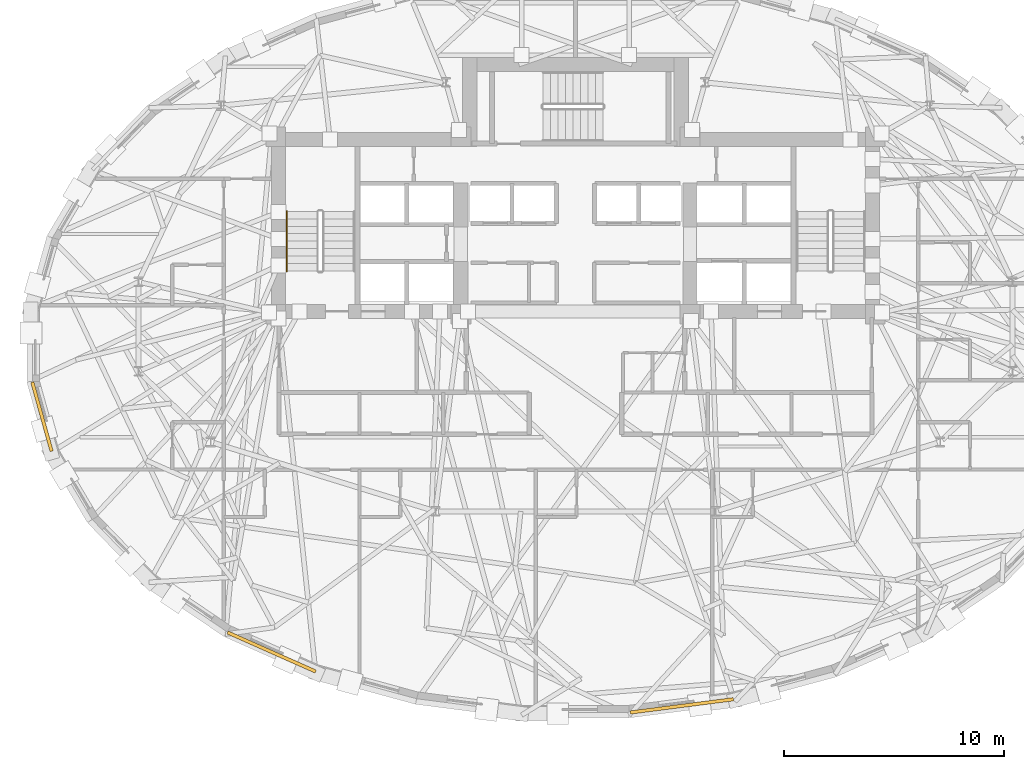
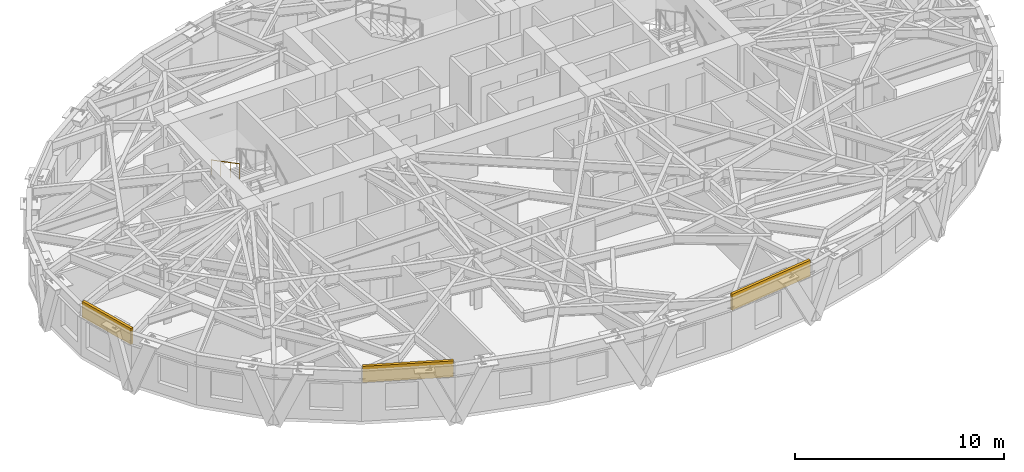
# One storey, part 12 of 15: 3 coverings, 1 railing.
"""IFC4 building model written with IfcOpenShell, lengths in metres."""

from ifc_helpers import new_model, si_unit, direction, frame, origin, origin_2d, place, context, subcontext, project, spatial, rectangle, circle, extrude, material, layer, layer_set, type_object, element, save


model = new_model("IFC4")

# Units and contexts
model_context = context("Model", 3, precision=1e-05, world=origin(), true_north=direction((0.0, 1.0)))
body_context = subcontext(model_context, "Body", "Model", "MODEL_VIEW")
ifc_project = project(units=[si_unit("LENGTHUNIT", "METRE"), si_unit("AREAUNIT", "SQUARE_METRE"), si_unit("VOLUMEUNIT", "CUBIC_METRE"), si_unit("PLANEANGLEUNIT", "RADIAN"), si_unit("MASSUNIT", "GRAM", prefix="KILO")], contexts=[model_context])

# Site, building, storey
site_placement = place(None, origin())
site = spatial("IfcSite", under=ifc_project, at=site_placement, CompositionType="ELEMENT")
building_placement = place(site_placement, origin())
building = spatial("IfcBuilding", under=site, at=building_placement, Name="Keldmark Tower", CompositionType="ELEMENT")
storey_placement = place(building_placement, frame((0.0, 0.0, 166.199951171875)))
storey = spatial("IfcBuildingStorey", under=building, at=storey_placement, Name="L45", CompositionType="ELEMENT", Elevation=166.199951171875)

# Coverings
ifc_material_1 = material(Name="Honed Kasota Buff Dolomitic Limestone", Category="masonry")
ifc_layer = layer(ifc_material_1, 0.074951171875)
ifc_layer_set = layer_set([ifc_layer], Name="Honed Kasota Buff Dolomitic Limestone")
covering_type = type_object("IfcCoveringType", Name="Kasota Buff Limestone Spandrel Cladding Band", PredefinedType="CLADDING", material=ifc_layer_set)
covering_1_placement = place(storey_placement, frame((-24.205322265625, -3.25, 2.239013671875), z_axis=(0.0, 0.0, 1.0), x_axis=(0.26920558486, -0.963082734286, 0.0)))
element("IfcCovering", 1, at=covering_1_placement, inside=storey, type_object=covering_type, Name="L45 Kasota Limestone Spandrel Band 17", PredefinedType="CLADDING", context=body_context, shape_type="SweptSolid", body=[
    extrude(rectangle(XDim=3.2568359375, YDim=0.14990234375, at=origin_2d()), origin(), (0.0, 0.0, 1.0), 0.94091796875),
])
covering_2_placement = place(storey_placement, frame((-13.78466796875, -13.9267578125, 2.239013671875), z_axis=(0.0, 0.0, 1.0), x_axis=(0.913921308103, -0.405891417247, 0.0)))
element("IfcCovering", 2, at=covering_2_placement, inside=storey, type_object=covering_type, Name="L45 Kasota Limestone Spandrel Band 21", PredefinedType="CLADDING", context=body_context, shape_type="SweptSolid", body=[
    extrude(rectangle(XDim=4.367431640625, YDim=0.14990234375, at=origin_2d()), origin(), (0.0, 0.0, 1.0), 0.94091796875),
])
covering_3_placement = place(storey_placement, frame((4.823974609375, -16.370849609375, 2.239013671875), z_axis=(0.0, 0.0, 1.0), x_axis=(0.991850028246, 0.12741083733, 0.0)))
element("IfcCovering", 3, at=covering_3_placement, inside=storey, type_object=covering_type, Name="L45 Kasota Limestone Spandrel Band 25", PredefinedType="CLADDING", context=body_context, shape_type="SweptSolid", body=[
    extrude(rectangle(XDim=4.717041015625, YDim=0.14990234375, at=origin_2d()), origin(), (0.0, 0.0, 1.0), 0.94091796875),
])

# Railing
ifc_material_2 = material(Name="Stainless Steel AISI 316L", Category="steel")
railing_type = type_object("IfcRailingType", Name="Stainless Steel Stair Handrail 900 mm", PredefinedType="HANDRAIL", material=ifc_material_2)
railing_placement = place(storey_placement, frame((-13.10009765625, 6.070068359375, 1.77783203125)))
element("IfcRailing", 4, at=railing_placement, inside=storey, type_object=railing_type, Name="L45 ST1 stair handrail 2", PredefinedType="HANDRAIL", context=body_context, shape_type="SweptSolid", body=[
    extrude(circle(Radius=0.02392578125, at=origin_2d()), frame((0.0, 0.0, 0.8759765625), z_axis=(0.0, -0.886183135912, 0.463335137482), x_axis=(1.0, 0.0, 0.0)), (0.0, 0.0, 1.0), 3.0693359375),
    extrude(circle(Radius=0.02099609375, at=origin_2d()), origin(), (0.0, 0.0, 1.0), 0.851806640625),
    extrude(circle(Radius=0.02099609375, at=origin_2d()), frame((0.0, -0.90673828125, 0.47412109375)), (0.0, 0.0, 1.0), 0.851806640625),
    extrude(circle(Radius=0.02099609375, at=origin_2d()), frame((0.0, -1.813232421875, 0.947998046875)), (0.0, 0.0, 1.0), 0.851806640625),
    extrude(circle(Radius=0.02099609375, at=origin_2d()), frame((0.0, -2.719970703125, 1.422119140625)), (0.0, 0.0, 1.0), 0.851806640625),
])

save(model, "model.ifc")
